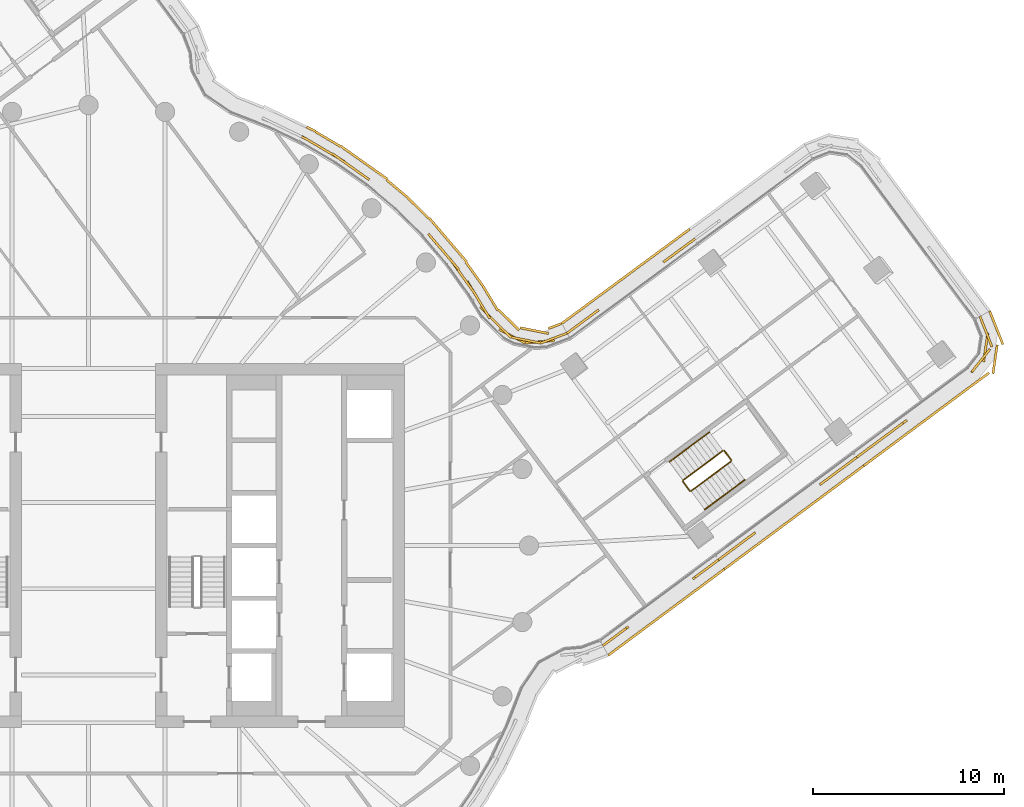
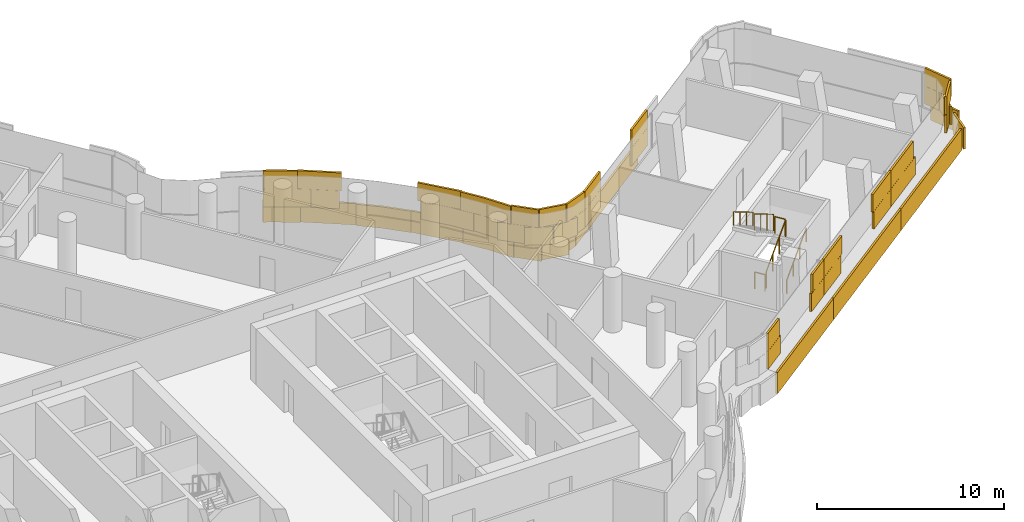
# One storey, part 30 of 32: 6 railings, 5 coverings.
"""IFC4 building model written with IfcOpenShell, lengths in metres."""

from ifc_helpers import new_model, si_unit, direction, frame, origin, origin_2d, place, context, subcontext, project, spatial, rectangle, circle, extrude, material, layer, layer_set, type_object, element, save


model = new_model("IFC4")

# Units and contexts
model_context = context("Model", 3, precision=1e-05, world=origin(), true_north=direction((0.0, 1.0)))
body_context = subcontext(model_context, "Body", "Model", "MODEL_VIEW")
ifc_project = project(units=[si_unit("LENGTHUNIT", "METRE"), si_unit("AREAUNIT", "SQUARE_METRE"), si_unit("VOLUMEUNIT", "CUBIC_METRE"), si_unit("PLANEANGLEUNIT", "RADIAN"), si_unit("MASSUNIT", "GRAM", prefix="KILO")], contexts=[model_context])

# Site, building, storey
site_placement = place(None, origin())
site = spatial("IfcSite", under=ifc_project, at=site_placement, CompositionType="ELEMENT")
building_placement = place(site_placement, origin())
building = spatial("IfcBuilding", under=site, at=building_placement, Name="Tamarind Cross Interchange Tower", CompositionType="ELEMENT")
storey_placement = place(building_placement, frame((0.0, 0.0, 166.75)))
storey = spatial("IfcBuildingStorey", under=building, at=storey_placement, Name="L41", CompositionType="ELEMENT", Elevation=166.75)

# Railings
ifc_material_1 = material(Name="Stair guard")
railing_type_1 = type_object("IfcRailingType", Name="Stair guard", PredefinedType="GUARDRAIL", material=ifc_material_1)
railing_1_placement = place(storey_placement, frame((31.465087890625, 2.85009765625, 0.17041015625)))
element("IfcRailing", 1, at=railing_1_placement, inside=storey, type_object=railing_type_1, Name="L41 ST3 stair guard 1", PredefinedType="GUARDRAIL", context=body_context, shape_type="SweptSolid", body=[
    extrude(circle(Radius=0.02392578125, at=origin_2d()), frame((0.0, 0.0, 1.076171875), z_axis=(0.671653146328, 0.498262505957, 0.548285077477), x_axis=(-0.595800035821, 0.803132814244, 0.0)), (0.0, 0.0, 1.0), 3.10888671875),
    extrude(circle(Radius=0.02099609375, at=origin_2d()), origin(), (0.0, 0.0, 1.0), 1.052001953125),
    extrude(circle(Radius=0.02099609375, at=origin_2d()), frame((0.696044921875, 0.516357421875, 0.568115234375)), (0.0, 0.0, 1.0), 1.052001953125),
    extrude(circle(Radius=0.02099609375, at=origin_2d()), frame((1.39208984375, 1.03271484375, 1.136474609375)), (0.0, 0.0, 1.0), 1.052001953125),
    extrude(circle(Radius=0.02099609375, at=origin_2d()), frame((2.088134765625, 1.549072265625, 1.70458984375)), (0.0, 0.0, 1.0), 1.052001953125),
])
railing_2_placement = place(storey_placement, frame((33.563720703125, 4.46923828125, 1.875)))
element("IfcRailing", 2, at=railing_2_placement, inside=storey, type_object=railing_type_1, Name="L41 ST3 stair guard 2", PredefinedType="GUARDRAIL", context=body_context, shape_type="SweptSolid", body=[
    extrude(circle(Radius=0.02392578125, at=origin_2d()), frame((0.0, 0.0, 1.076171875), z_axis=(-0.595889265204, 0.80306661219, 0.0), x_axis=(-0.80306661219, -0.595889265204, 0.0)), (0.0, 0.0, 1.0), 0.599853515625),
    extrude(circle(Radius=0.02099609375, at=origin_2d()), origin(), (0.0, 0.0, 1.0), 1.052001953125),
    extrude(circle(Radius=0.02099609375, at=origin_2d()), frame((-0.357421875, 0.481689453125, 0.0)), (0.0, 0.0, 1.0), 1.052001953125),
])
railing_3_placement = place(storey_placement, frame((33.13623046875, 4.96142578125, 2.04541015625)))
element("IfcRailing", 3, at=railing_3_placement, inside=storey, type_object=railing_type_1, Name="L41 ST3 stair guard 3", PredefinedType="GUARDRAIL", context=body_context, shape_type="SweptSolid", body=[
    extrude(circle(Radius=0.02392578125, at=origin_2d()), frame((0.0, 0.0, 1.076171875), z_axis=(-0.671653146328, -0.498262505957, 0.548285077477), x_axis=(0.595800035821, -0.803132814244, 0.0)), (0.0, 0.0, 1.0), 3.10888671875),
    extrude(circle(Radius=0.02099609375, at=origin_2d()), origin(), (0.0, 0.0, 1.0), 1.052001953125),
    extrude(circle(Radius=0.02099609375, at=origin_2d()), frame((-0.696044921875, -0.516357421875, 0.568115234375)), (0.0, 0.0, 1.0), 1.052001953125),
    extrude(circle(Radius=0.02099609375, at=origin_2d()), frame((-1.39208984375, -1.03271484375, 1.136474609375)), (0.0, 0.0, 1.0), 1.052001953125),
    extrude(circle(Radius=0.02099609375, at=origin_2d()), frame((-2.088134765625, -1.549072265625, 1.70458984375)), (0.0, 0.0, 1.0), 1.052001953125),
])
railing_4_placement = place(storey_placement, frame((31.395263671875, 2.860595703125, 0.0)))
element("IfcRailing", 4, at=railing_4_placement, inside=storey, type_object=railing_type_1, Name="L41 ST3 stair guard 4", PredefinedType="GUARDRAIL", context=body_context, shape_type="SweptSolid", body=[
    extrude(circle(Radius=0.02392578125, at=origin_2d()), frame((0.0, 0.0, 1.076171875), z_axis=(-0.595694532571, 0.803211070557, 0.0), x_axis=(-0.803211070557, -0.595694532571, 0.0)), (0.0, 0.0, 1.0), 0.60009765625),
    extrude(circle(Radius=0.02099609375, at=origin_2d()), origin(), (0.0, 0.0, 1.0), 1.052001953125),
    extrude(circle(Radius=0.02099609375, at=origin_2d()), frame((-0.357421875, 0.48193359375, 0.0)), (0.0, 0.0, 1.0), 1.052001953125),
])
ifc_material_2 = material(Name="Stair handrail")
railing_type_2 = type_object("IfcRailingType", Name="Stair handrail", PredefinedType="HANDRAIL", material=ifc_material_2)
railing_5_placement = place(storey_placement, frame((32.18017578125, 1.886474609375, 0.17041015625)))
element("IfcRailing", 5, at=railing_5_placement, inside=storey, type_object=railing_type_2, Name="L41 ST3 stair handrail 1", PredefinedType="HANDRAIL", context=body_context, shape_type="SweptSolid", body=[
    extrude(circle(Radius=0.02392578125, at=origin_2d()), frame((0.0, 0.0, 0.8759765625), z_axis=(0.671679426071, 0.49820347001, 0.548306530203), x_axis=(-0.595739462681, 0.803177746582, 0.0)), (0.0, 0.0, 1.0), 3.10888671875),
    extrude(circle(Radius=0.02099609375, at=origin_2d()), origin(), (0.0, 0.0, 1.0), 0.851806640625),
    extrude(circle(Radius=0.02099609375, at=origin_2d()), frame((0.696044921875, 0.516357421875, 0.568115234375)), (0.0, 0.0, 1.0), 0.851806640625),
    extrude(circle(Radius=0.02099609375, at=origin_2d()), frame((1.39208984375, 1.032470703125, 1.136474609375)), (0.0, 0.0, 1.0), 0.851806640625),
    extrude(circle(Radius=0.02099609375, at=origin_2d()), frame((2.088134765625, 1.548828125, 1.70458984375)), (0.0, 0.0, 1.0), 0.851806640625),
])
railing_6_placement = place(storey_placement, frame((32.42138671875, 5.92529296875, 2.04541015625)))
element("IfcRailing", 6, at=railing_6_placement, inside=storey, type_object=railing_type_2, Name="L41 ST3 stair handrail 2", PredefinedType="HANDRAIL", context=body_context, shape_type="SweptSolid", body=[
    extrude(circle(Radius=0.02392578125, at=origin_2d()), frame((0.0, 0.0, 0.8759765625), z_axis=(-0.671653146328, -0.498262505957, 0.548285077477), x_axis=(0.595800035821, -0.803132814244, 0.0)), (0.0, 0.0, 1.0), 3.10888671875),
    extrude(circle(Radius=0.02099609375, at=origin_2d()), origin(), (0.0, 0.0, 1.0), 0.851806640625),
    extrude(circle(Radius=0.02099609375, at=origin_2d()), frame((-0.696044921875, -0.516357421875, 0.568115234375)), (0.0, 0.0, 1.0), 0.851806640625),
    extrude(circle(Radius=0.02099609375, at=origin_2d()), frame((-1.39208984375, -1.03271484375, 1.136474609375)), (0.0, 0.0, 1.0), 0.851806640625),
    extrude(circle(Radius=0.02099609375, at=origin_2d()), frame((-2.088134765625, -1.549072265625, 1.70458984375)), (0.0, 0.0, 1.0), 0.851806640625),
])

# Coverings
ifc_material_3 = material(Name="Terracotta", Category="masonry")
ifc_layer = layer(ifc_material_3, 0.1201171875)
ifc_layer_set = layer_set([ifc_layer], Name="Terracotta")
covering_type = type_object("IfcCoveringType", Name="Terracotta baguette screen unit", PredefinedType="MOLDING", material=ifc_layer_set)
covering_1_placement = place(storey_placement, origin())
element("IfcCovering", 7, at=covering_1_placement, inside=storey, type_object=covering_type, Name="SCR-L41-01-01", PredefinedType="MOLDING", context=body_context, shape_type="SweptSolid", body=[
    extrude(rectangle(XDim=0.79931640625, YDim=0.1201171875, at=origin_2d()), frame((31.35205078125, 15.788818359375, 1.404052734375), z_axis=(0.0, 0.0, 1.0), x_axis=(-0.804598427384, -0.593819308082, 0.0)), (0.0, 0.0, 1.0), 1.1669921875),
    extrude(rectangle(XDim=1.270751953125, YDim=0.1201171875, at=origin_2d()), frame((30.52734375, 15.18017578125, 1.404052734375), z_axis=(0.0, 0.0, 1.0), x_axis=(-0.804598427384, -0.593819308082, 0.0)), (0.0, 0.0, 1.0), 1.1669921875),
    extrude(rectangle(XDim=0.549072265625, YDim=0.1201171875, at=origin_2d()), frame((26.423828125, 12.151611328125, 1.404052734375), z_axis=(0.0, 0.0, 1.0), x_axis=(-0.804598427384, -0.593819308082, 0.0)), (0.0, 0.0, 1.0), 1.1669921875),
    extrude(rectangle(XDim=1.52001953125, YDim=0.1201171875, at=origin_2d()), frame((25.603515625, 11.546142578125, 1.404052734375), z_axis=(0.0, 0.0, 1.0), x_axis=(-0.804598427384, -0.593819308082, 0.0)), (0.0, 0.0, 1.0), 1.1669921875),
    extrude(rectangle(XDim=0.04931640625, YDim=0.1201171875, at=origin_2d()), frame((31.65380859375, 16.011474609375, 2.5791015625), z_axis=(0.0, 0.0, 1.0), x_axis=(-0.804598427384, -0.593819308082, 0.0)), (0.0, 0.0, 1.0), 1.1669921875),
    extrude(rectangle(XDim=1.52001953125, YDim=0.1201171875, at=origin_2d()), frame((31.03466796875, 15.554443359375, 2.5791015625), z_axis=(0.0, 0.0, 1.0), x_axis=(-0.804598427384, -0.593819308082, 0.0)), (0.0, 0.0, 1.0), 1.1669921875),
    extrude(rectangle(XDim=0.520751953125, YDim=0.1201171875, at=origin_2d()), frame((30.2255859375, 14.95751953125, 2.5791015625), z_axis=(0.0, 0.0, 1.0), x_axis=(-0.804598427384, -0.593819308082, 0.0)), (0.0, 0.0, 1.0), 1.1669921875),
    extrude(rectangle(XDim=1.299072265625, YDim=0.1201171875, at=origin_2d()), frame((26.1220703125, 11.928955078125, 2.5791015625), z_axis=(0.0, 0.0, 1.0), x_axis=(-0.804598427384, -0.593819308082, 0.0)), (0.0, 0.0, 1.0), 1.1669921875),
    extrude(rectangle(XDim=0.77099609375, YDim=0.1201171875, at=origin_2d()), frame((25.29736328125, 11.3203125, 2.5791015625), z_axis=(0.0, 0.0, 1.0), x_axis=(-0.804598427384, -0.593819308082, 0.0)), (0.0, 0.0, 1.0), 1.1669921875),
    extrude(rectangle(XDim=0.801513671875, YDim=0.1201171875, at=origin_2d()), frame((31.068359375, 16.29296875, 0.00390625), z_axis=(0.0, 0.0, 1.0), x_axis=(-0.804598427384, -0.593819308082, 0.0)), (0.0, 0.0, 1.0), 1.39208984375),
    extrude(rectangle(XDim=1.52001953125, YDim=0.1201171875, at=origin_2d()), frame((30.150390625, 15.615478515625, 0.00390625), z_axis=(0.0, 0.0, 1.0), x_axis=(-0.804598427384, -0.593819308082, 0.0)), (0.0, 0.0, 1.0), 1.39208984375),
    extrude(rectangle(XDim=1.52001953125, YDim=0.1201171875, at=origin_2d()), frame((28.943603515625, 14.724609375, 0.00390625), z_axis=(0.0, 0.0, 1.0), x_axis=(-0.804598427384, -0.593819308082, 0.0)), (0.0, 0.0, 1.0), 1.39208984375),
    extrude(rectangle(XDim=1.52001953125, YDim=0.1201171875, at=origin_2d()), frame((27.736572265625, 13.833984375, 0.00390625), z_axis=(0.0, 0.0, 1.0), x_axis=(-0.804598427384, -0.593819308082, 0.0)), (0.0, 0.0, 1.0), 1.39208984375),
    extrude(rectangle(XDim=1.52001953125, YDim=0.1201171875, at=origin_2d()), frame((26.52978515625, 12.943359375, 0.00390625), z_axis=(0.0, 0.0, 1.0), x_axis=(-0.804598427384, -0.593819308082, 0.0)), (0.0, 0.0, 1.0), 1.39208984375),
    extrude(rectangle(XDim=1.52001953125, YDim=0.1201171875, at=origin_2d()), frame((25.322998046875, 12.052490234375, 0.00390625), z_axis=(0.0, 0.0, 1.0), x_axis=(-0.804598427384, -0.593819308082, 0.0)), (0.0, 0.0, 1.0), 1.39208984375),
])
covering_2_placement = place(storey_placement, origin())
element("IfcCovering", 8, at=covering_2_placement, inside=storey, type_object=covering_type, Name="SCR-L41-02-00", PredefinedType="MOLDING", context=body_context, shape_type="SweptSolid", body=[
    extrude(rectangle(XDim=0.760009765625, YDim=0.1201171875, at=origin_2d()), frame((24.64013671875, 10.96240234375, 1.404052734375), z_axis=(0.0, 0.0, 1.0), x_axis=(-0.936029366987, -0.351921900623, 0.0)), (0.0, 0.0, 1.0), 1.1669921875),
    extrude(rectangle(XDim=1.52001953125, YDim=0.1201171875, at=origin_2d()), frame((23.5693359375, 10.646484375, 1.404052734375), z_axis=(0.0, 0.0, 1.0), x_axis=(-0.996720069573, -0.080926527852, 0.0)), (0.0, 0.0, 1.0), 1.1669921875),
    extrude(rectangle(XDim=1.52001953125, YDim=0.1201171875, at=origin_2d()), frame((22.11474609375, 10.93701171875, 1.404052734375), z_axis=(0.0, 0.0, 1.0), x_axis=(-0.888742469875, 0.458406830491, 0.0)), (0.0, 0.0, 1.0), 1.1669921875),
    extrude(rectangle(XDim=1.52001953125, YDim=0.1201171875, at=origin_2d()), frame((20.99609375, 11.919677734375, 1.404052734375), z_axis=(0.0, 0.0, 1.0), x_axis=(-0.710687311487, 0.703508027879, 0.0)), (0.0, 0.0, 1.0), 1.1669921875),
    extrude(rectangle(XDim=1.52001953125, YDim=0.1201171875, at=origin_2d()), frame((20.1669921875, 13.16162109375, 1.404052734375), z_axis=(0.0, 0.0, 1.0), x_axis=(-0.517314099566, 0.855795607835, 0.0)), (0.0, 0.0, 1.0), 1.1669921875),
    extrude(rectangle(XDim=1.52001953125, YDim=0.1201171875, at=origin_2d()), frame((19.2978515625, 14.3837890625, 1.404052734375), z_axis=(0.0, 0.0, 1.0), x_axis=(-0.584573890505, 0.811340475102, 0.0)), (0.0, 0.0, 1.0), 1.1669921875),
    extrude(rectangle(XDim=1.52001953125, YDim=0.1201171875, at=origin_2d()), frame((18.36279296875, 15.55517578125, 1.404052734375), z_axis=(0.0, 0.0, 1.0), x_axis=(-0.64957723968, 0.760295606781, 0.0)), (0.0, 0.0, 1.0), 1.1669921875),
    extrude(rectangle(XDim=1.52001953125, YDim=0.1201171875, at=origin_2d()), frame((13.959716796875, 19.60302734375, 1.404052734375), z_axis=(0.0, 0.0, 1.0), x_axis=(-0.816341886298, 0.577568978284, 0.0)), (0.0, 0.0, 1.0), 1.1669921875),
    extrude(rectangle(XDim=1.52001953125, YDim=0.1201171875, at=origin_2d()), frame((12.7158203125, 20.439453125, 1.404052734375), z_axis=(0.0, 0.0, 1.0), x_axis=(-0.861248933065, 0.508183308752, 0.0)), (0.0, 0.0, 1.0), 1.1669921875),
    extrude(rectangle(XDim=1.086669921875, YDim=0.1201171875, at=origin_2d()), frame((11.606201171875, 21.09423828125, 1.404052734375), z_axis=(0.0, 0.0, 1.0), x_axis=(-0.861248933065, 0.508183308752, 0.0)), (0.0, 0.0, 1.0), 1.1669921875),
    extrude(rectangle(XDim=1.510009765625, YDim=0.1201171875, at=origin_2d()), frame((24.2890625, 10.830322265625, 2.5791015625), z_axis=(0.0, 0.0, 1.0), x_axis=(-0.936029366987, -0.351921900623, 0.0)), (0.0, 0.0, 1.0), 1.1669921875),
    extrude(rectangle(XDim=1.52001953125, YDim=0.1201171875, at=origin_2d()), frame((22.830322265625, 10.73291015625, 2.5791015625), z_axis=(0.0, 0.0, 1.0), x_axis=(-0.980541873033, 0.196310048722, 0.0)), (0.0, 0.0, 1.0), 1.1669921875),
    extrude(rectangle(XDim=1.52001953125, YDim=0.1201171875, at=origin_2d()), frame((21.529052734375, 11.39208984375, 2.5791015625), z_axis=(0.0, 0.0, 1.0), x_axis=(-0.710687311487, 0.703508027879, 0.0)), (0.0, 0.0, 1.0), 1.1669921875),
    extrude(rectangle(XDim=1.52001953125, YDim=0.1201171875, at=origin_2d()), frame((20.554931640625, 12.519775390625, 2.5791015625), z_axis=(0.0, 0.0, 1.0), x_axis=(-0.517314099566, 0.855795607835, 0.0)), (0.0, 0.0, 1.0), 1.1669921875),
    extrude(rectangle(XDim=1.52001953125, YDim=0.1201171875, at=origin_2d()), frame((19.736328125, 13.775146484375, 2.5791015625), z_axis=(0.0, 0.0, 1.0), x_axis=(-0.584573890505, 0.811340475102, 0.0)), (0.0, 0.0, 1.0), 1.1669921875),
    extrude(rectangle(XDim=1.52001953125, YDim=0.1201171875, at=origin_2d()), frame((18.85009765625, 14.98486328125, 2.5791015625), z_axis=(0.0, 0.0, 1.0), x_axis=(-0.64957723968, 0.760295606781, 0.0)), (0.0, 0.0, 1.0), 1.1669921875),
    extrude(rectangle(XDim=0.960693359375, YDim=0.1201171875, at=origin_2d()), frame((18.05419921875, 15.91650390625, 2.5791015625), z_axis=(0.0, 0.0, 1.0), x_axis=(-0.64957723968, 0.760295606781, 0.0)), (0.0, 0.0, 1.0), 1.1669921875),
    extrude(rectangle(XDim=0.859375, YDim=0.1201171875, at=origin_2d()), frame((14.306396484375, 19.357666015625, 2.5791015625), z_axis=(0.0, 0.0, 1.0), x_axis=(-0.816341886298, 0.577568978284, 0.0)), (0.0, 0.0, 1.0), 1.1669921875),
    extrude(rectangle(XDim=1.52001953125, YDim=0.1201171875, at=origin_2d()), frame((13.347412109375, 20.0361328125, 2.5791015625), z_axis=(0.0, 0.0, 1.0), x_axis=(-0.816341886298, 0.577568978284, 0.0)), (0.0, 0.0, 1.0), 1.1669921875),
    extrude(rectangle(XDim=1.52001953125, YDim=0.1201171875, at=origin_2d()), frame((12.06982421875, 20.820556640625, 2.5791015625), z_axis=(0.0, 0.0, 1.0), x_axis=(-0.861248933065, 0.508183308752, 0.0)), (0.0, 0.0, 1.0), 1.1669921875),
    extrude(rectangle(XDim=0.336669921875, YDim=0.1201171875, at=origin_2d()), frame((11.279296875, 21.277099609375, 2.5791015625), z_axis=(0.0, 0.0, 1.0), x_axis=(-0.900272776334, 0.435326231914, 0.0)), (0.0, 0.0, 1.0), 1.1669921875),
    extrude(rectangle(XDim=0.760009765625, YDim=0.1201171875, at=origin_2d()), frame((24.35888671875, 11.4697265625, 0.00390625), z_axis=(0.0, 0.0, 1.0), x_axis=(-0.936029366987, -0.351921900623, 0.0)), (0.0, 0.0, 1.0), 1.39208984375),
    extrude(rectangle(XDim=1.52001953125, YDim=0.1201171875, at=origin_2d()), frame((23.284423828125, 11.227294921875, 0.00390625), z_axis=(0.0, 0.0, 1.0), x_axis=(-0.980541873033, 0.196310048722, 0.0)), (0.0, 0.0, 1.0), 1.39208984375),
    extrude(rectangle(XDim=1.52001953125, YDim=0.1201171875, at=origin_2d()), frame((21.941162109375, 11.7919921875, 0.00390625), z_axis=(0.0, 0.0, 1.0), x_axis=(-0.710687311487, 0.703508027879, 0.0)), (0.0, 0.0, 1.0), 1.39208984375),
    extrude(rectangle(XDim=1.52001953125, YDim=0.1201171875, at=origin_2d()), frame((20.978271484375, 12.9287109375, 0.00390625), z_axis=(0.0, 0.0, 1.0), x_axis=(-0.517314099566, 0.855795607835, 0.0)), (0.0, 0.0, 1.0), 1.39208984375),
    extrude(rectangle(XDim=1.52001953125, YDim=0.1201171875, at=origin_2d()), frame((20.152587890625, 14.179443359375, 0.00390625), z_axis=(0.0, 0.0, 1.0), x_axis=(-0.584573890505, 0.811340475102, 0.0)), (0.0, 0.0, 1.0), 1.39208984375),
    extrude(rectangle(XDim=1.52001953125, YDim=0.1201171875, at=origin_2d()), frame((19.262451171875, 15.385986328125, 0.00390625), z_axis=(0.0, 0.0, 1.0), x_axis=(-0.64957723968, 0.760295606781, 0.0)), (0.0, 0.0, 1.0), 1.39208984375),
    extrude(rectangle(XDim=1.52001953125, YDim=0.1201171875, at=origin_2d()), frame((18.2880859375, 16.5263671875, 0.00390625), z_axis=(0.0, 0.0, 1.0), x_axis=(-0.64957723968, 0.760295606781, 0.0)), (0.0, 0.0, 1.0), 1.39208984375),
    extrude(rectangle(XDim=1.52001953125, YDim=0.1201171875, at=origin_2d()), frame((17.242919921875, 17.601318359375, 0.00390625), z_axis=(0.0, 0.0, 1.0), x_axis=(-0.710143317658, 0.704057148523, 0.0)), (0.0, 0.0, 1.0), 1.39208984375),
    extrude(rectangle(XDim=1.52001953125, YDim=0.1201171875, at=origin_2d()), frame((16.142822265625, 18.618896484375, 0.00390625), z_axis=(0.0, 0.0, 1.0), x_axis=(-0.765858396687, 0.643009266048, 0.0)), (0.0, 0.0, 1.0), 1.39208984375),
    extrude(rectangle(XDim=1.52001953125, YDim=0.1201171875, at=origin_2d()), frame((14.989501953125, 19.57763671875, 0.00390625), z_axis=(0.0, 0.0, 1.0), x_axis=(-0.816341886298, 0.577568978284, 0.0)), (0.0, 0.0, 1.0), 1.39208984375),
    extrude(rectangle(XDim=1.52001953125, YDim=0.1201171875, at=origin_2d()), frame((13.764892578125, 20.444091796875, 0.00390625), z_axis=(0.0, 0.0, 1.0), x_axis=(-0.816341886298, 0.577568978284, 0.0)), (0.0, 0.0, 1.0), 1.39208984375),
    extrude(rectangle(XDim=1.52001953125, YDim=0.1201171875, at=origin_2d()), frame((12.4931640625, 21.2373046875, 0.00390625), z_axis=(0.0, 0.0, 1.0), x_axis=(-0.861248933065, 0.508183308752, 0.0)), (0.0, 0.0, 1.0), 1.39208984375),
    extrude(rectangle(XDim=0.519287109375, YDim=0.1201171875, at=origin_2d()), frame((11.631591796875, 21.744384765625, 0.00390625), z_axis=(0.0, 0.0, 1.0), x_axis=(-0.900272776334, 0.435326231914, 0.0)), (0.0, 0.0, 1.0), 1.39208984375),
])
covering_3_placement = place(storey_placement, origin())
element("IfcCovering", 9, at=covering_3_placement, inside=storey, type_object=covering_type, Name="SCR-L41-15-00", PredefinedType="MOLDING", context=body_context, shape_type="SweptSolid", body=[
    extrude(rectangle(XDim=0.760009765625, YDim=0.1201171875, at=origin_2d()), frame((27.162841796875, -4.998046875, 1.404052734375), z_axis=(0.0, 0.0, 1.0), x_axis=(0.803150344752, 0.595776404136, 0.0)), (0.0, 0.0, 1.0), 1.1669921875),
    extrude(rectangle(XDim=0.91064453125, YDim=0.1201171875, at=origin_2d()), frame((27.82568359375, -4.50634765625, 1.404052734375), z_axis=(0.0, 0.0, 1.0), x_axis=(0.803150344752, 0.595776404136, 0.0)), (0.0, 0.0, 1.0), 1.1669921875),
    extrude(rectangle(XDim=0.909423828125, YDim=0.1201171875, at=origin_2d()), frame((31.921630859375, -1.4677734375, 1.404052734375), z_axis=(0.0, 0.0, 1.0), x_axis=(0.803150344752, 0.595776404136, 0.0)), (0.0, 0.0, 1.0), 1.1669921875),
    extrude(rectangle(XDim=0.761474609375, YDim=0.1201171875, at=origin_2d()), frame((32.584716796875, -0.97607421875, 1.404052734375), z_axis=(0.0, 0.0, 1.0), x_axis=(0.803150344752, 0.595776404136, 0.0)), (0.0, 0.0, 1.0), 1.1669921875),
    extrude(rectangle(XDim=1.510009765625, YDim=0.1201171875, at=origin_2d()), frame((27.4638671875, -4.774658203125, 2.5791015625), z_axis=(0.0, 0.0, 1.0), x_axis=(0.803150344752, 0.595776404136, 0.0)), (0.0, 0.0, 1.0), 1.1669921875),
    extrude(rectangle(XDim=1.52001953125, YDim=0.1201171875, at=origin_2d()), frame((32.282958984375, -1.199951171875, 2.5791015625), z_axis=(0.0, 0.0, 1.0), x_axis=(0.803150344752, 0.595776404136, 0.0)), (0.0, 0.0, 1.0), 1.1669921875),
    extrude(rectangle(XDim=0.760009765625, YDim=0.1201171875, at=origin_2d()), frame((27.4453125, -5.503173828125, 0.00390625), z_axis=(0.0, 0.0, 1.0), x_axis=(0.803150344752, 0.595776404136, 0.0)), (0.0, 0.0, 1.0), 1.39208984375),
    extrude(rectangle(XDim=1.52001953125, YDim=0.1201171875, at=origin_2d()), frame((28.3447265625, -4.8359375, 0.00390625), z_axis=(0.0, 0.0, 1.0), x_axis=(0.803150344752, 0.595776404136, 0.0)), (0.0, 0.0, 1.0), 1.39208984375),
    extrude(rectangle(XDim=1.52001953125, YDim=0.1201171875, at=origin_2d()), frame((29.549560546875, -3.942138671875, 0.00390625), z_axis=(0.0, 0.0, 1.0), x_axis=(0.803150344752, 0.595776404136, 0.0)), (0.0, 0.0, 1.0), 1.39208984375),
    extrude(rectangle(XDim=1.52001953125, YDim=0.1201171875, at=origin_2d()), frame((30.75439453125, -3.048583984375, 0.00390625), z_axis=(0.0, 0.0, 1.0), x_axis=(0.803150344752, 0.595776404136, 0.0)), (0.0, 0.0, 1.0), 1.39208984375),
    extrude(rectangle(XDim=1.52001953125, YDim=0.1201171875, at=origin_2d()), frame((31.958984375, -2.15478515625, 0.00390625), z_axis=(0.0, 0.0, 1.0), x_axis=(0.803150344752, 0.595776404136, 0.0)), (0.0, 0.0, 1.0), 1.39208984375),
    extrude(rectangle(XDim=0.809814453125, YDim=0.1201171875, at=origin_2d()), frame((32.87841796875, -1.47265625, 0.00390625), z_axis=(0.0, 0.0, 1.0), x_axis=(0.803150344752, 0.595776404136, 0.0)), (0.0, 0.0, 1.0), 1.39208984375),
])
covering_4_placement = place(storey_placement, origin())
element("IfcCovering", 10, at=covering_4_placement, inside=storey, type_object=covering_type, Name="SCR-L41-15-01", PredefinedType="MOLDING", context=body_context, shape_type="SweptSolid", body=[
    extrude(rectangle(XDim=0.758544921875, YDim=0.1201171875, at=origin_2d()), frame((33.18701171875, -0.529296875, 1.404052734375), z_axis=(0.0, 0.0, 1.0), x_axis=(0.803150344752, 0.595776404136, 0.0)), (0.0, 0.0, 1.0), 1.1669921875),
    extrude(rectangle(XDim=1.52001953125, YDim=0.1201171875, at=origin_2d()), frame((34.08984375, 0.140625, 1.404052734375), z_axis=(0.0, 0.0, 1.0), x_axis=(0.803150344752, 0.595776404136, 0.0)), (0.0, 0.0, 1.0), 1.1669921875),
    extrude(rectangle(XDim=1.52001953125, YDim=0.1201171875, at=origin_2d()), frame((38.908935546875, 3.71533203125, 1.404052734375), z_axis=(0.0, 0.0, 1.0), x_axis=(0.803150344752, 0.595776404136, 0.0)), (0.0, 0.0, 1.0), 1.1669921875),
    extrude(rectangle(XDim=0.7705078125, YDim=0.1201171875, at=origin_2d()), frame((39.816650390625, 4.388671875, 1.404052734375), z_axis=(0.0, 0.0, 1.0), x_axis=(0.803150344752, 0.595776404136, 0.0)), (0.0, 0.0, 1.0), 1.1669921875),
    extrude(rectangle(XDim=1.508544921875, YDim=0.1201171875, at=origin_2d()), frame((33.488037109375, -0.305908203125, 2.5791015625), z_axis=(0.0, 0.0, 1.0), x_axis=(0.803150344752, 0.595776404136, 0.0)), (0.0, 0.0, 1.0), 1.1669921875),
    extrude(rectangle(XDim=0.916015625, YDim=0.1201171875, at=origin_2d()), frame((34.453857421875, 0.410400390625, 2.5791015625), z_axis=(0.0, 0.0, 1.0), x_axis=(0.803150344752, 0.595776404136, 0.0)), (0.0, 0.0, 1.0), 1.1669921875),
    extrude(rectangle(XDim=0.904052734375, YDim=0.1201171875, at=origin_2d()), frame((38.5498046875, 3.448974609375, 2.5791015625), z_axis=(0.0, 0.0, 1.0), x_axis=(0.803150344752, 0.595776404136, 0.0)), (0.0, 0.0, 1.0), 1.1669921875),
    extrude(rectangle(XDim=1.52001953125, YDim=0.1201171875, at=origin_2d()), frame((39.51123046875, 4.162109375, 2.5791015625), z_axis=(0.0, 0.0, 1.0), x_axis=(0.803150344752, 0.595776404136, 0.0)), (0.0, 0.0, 1.0), 1.1669921875),
    extrude(rectangle(XDim=0.710205078125, YDim=0.1201171875, at=origin_2d()), frame((33.489013671875, -1.02001953125, 0.00390625), z_axis=(0.0, 0.0, 1.0), x_axis=(0.803150344752, 0.595776404136, 0.0)), (0.0, 0.0, 1.0), 1.39208984375),
    extrude(rectangle(XDim=1.52001953125, YDim=0.1201171875, at=origin_2d()), frame((34.368408203125, -0.367431640625, 0.00390625), z_axis=(0.0, 0.0, 1.0), x_axis=(0.803150344752, 0.595776404136, 0.0)), (0.0, 0.0, 1.0), 1.39208984375),
    extrude(rectangle(XDim=1.52001953125, YDim=0.1201171875, at=origin_2d()), frame((35.5732421875, 0.526123046875, 0.00390625), z_axis=(0.0, 0.0, 1.0), x_axis=(0.803150344752, 0.595776404136, 0.0)), (0.0, 0.0, 1.0), 1.39208984375),
    extrude(rectangle(XDim=1.52001953125, YDim=0.1201171875, at=origin_2d()), frame((36.77783203125, 1.419921875, 0.00390625), z_axis=(0.0, 0.0, 1.0), x_axis=(0.803150344752, 0.595776404136, 0.0)), (0.0, 0.0, 1.0), 1.39208984375),
    extrude(rectangle(XDim=1.52001953125, YDim=0.1201171875, at=origin_2d()), frame((37.982666015625, 2.3134765625, 0.00390625), z_axis=(0.0, 0.0, 1.0), x_axis=(0.803150344752, 0.595776404136, 0.0)), (0.0, 0.0, 1.0), 1.39208984375),
    extrude(rectangle(XDim=1.52001953125, YDim=0.1201171875, at=origin_2d()), frame((39.187255859375, 3.207275390625, 0.00390625), z_axis=(0.0, 0.0, 1.0), x_axis=(0.803150344752, 0.595776404136, 0.0)), (0.0, 0.0, 1.0), 1.39208984375),
    extrude(rectangle(XDim=0.876953125, YDim=0.1201171875, at=origin_2d()), frame((40.1337890625, 3.9091796875, 0.00390625), z_axis=(0.0, 0.0, 1.0), x_axis=(0.803150344752, 0.595776404136, 0.0)), (0.0, 0.0, 1.0), 1.39208984375),
])
covering_5_placement = place(storey_placement, origin())
element("IfcCovering", 11, at=covering_5_placement, inside=storey, type_object=covering_type, Name="SCR-L41-15-02", PredefinedType="MOLDING", context=body_context, shape_type="SweptSolid", body=[
    extrude(rectangle(XDim=0.74951171875, YDim=0.1201171875, at=origin_2d()), frame((40.4189453125, 4.83544921875, 1.404052734375), z_axis=(0.0, 0.0, 1.0), x_axis=(0.803150344752, 0.595776404136, 0.0)), (0.0, 0.0, 1.0), 1.1669921875),
    extrude(rectangle(XDim=1.52001953125, YDim=0.1201171875, at=origin_2d()), frame((41.318359375, 5.502685546875, 1.404052734375), z_axis=(0.0, 0.0, 1.0), x_axis=(0.803150344752, 0.595776404136, 0.0)), (0.0, 0.0, 1.0), 1.1669921875),
    extrude(rectangle(XDim=1.017822265625, YDim=0.1201171875, at=origin_2d()), frame((42.325439453125, 6.24951171875, 1.404052734375), z_axis=(0.0, 0.0, 1.0), x_axis=(0.803150344752, 0.595776404136, 0.0)), (0.0, 0.0, 1.0), 1.1669921875),
    extrude(rectangle(XDim=0.80224609375, YDim=0.1201171875, at=origin_2d()), frame((46.353515625, 9.3583984375, 1.404052734375), z_axis=(0.0, 0.0, 1.0), x_axis=(0.621585380376, 0.783346420751, 0.0)), (0.0, 0.0, 1.0), 1.1669921875),
    extrude(rectangle(XDim=1.52001953125, YDim=0.1201171875, at=origin_2d()), frame((46.852294921875, 10.3486328125, 1.404052734375), z_axis=(0.0, 0.0, 1.0), x_axis=(0.146635519651, 0.989190590522, 0.0)), (0.0, 0.0, 1.0), 1.1669921875),
    extrude(rectangle(XDim=0.965087890625, YDim=0.1201171875, at=origin_2d()), frame((46.72705078125, 11.52783203125, 1.404052734375), z_axis=(0.0, 0.0, 1.0), x_axis=(-0.367605210146, 0.929981940402, 0.0)), (0.0, 0.0, 1.0), 1.1669921875),
    extrude(rectangle(XDim=1.49951171875, YDim=0.1201171875, at=origin_2d()), frame((40.72021484375, 5.058837890625, 2.5791015625), z_axis=(0.0, 0.0, 1.0), x_axis=(0.803150344752, 0.595776404136, 0.0)), (0.0, 0.0, 1.0), 1.1669921875),
    extrude(rectangle(XDim=1.52001953125, YDim=0.1201171875, at=origin_2d()), frame((41.920654296875, 5.949462890625, 2.5791015625), z_axis=(0.0, 0.0, 1.0), x_axis=(0.803150344752, 0.595776404136, 0.0)), (0.0, 0.0, 1.0), 1.1669921875),
    extrude(rectangle(XDim=1.52001953125, YDim=0.1201171875, at=origin_2d()), frame((46.599609375, 9.668701171875, 2.5791015625), z_axis=(0.0, 0.0, 1.0), x_axis=(0.621585380376, 0.783346420751, 0.0)), (0.0, 0.0, 1.0), 1.1669921875),
    extrude(rectangle(XDim=1.52001953125, YDim=0.1201171875, at=origin_2d()), frame((46.902587890625, 11.083740234375, 2.5791015625), z_axis=(0.0, 0.0, 1.0), x_axis=(-0.367605210146, 0.929981940402, 0.0)), (0.0, 0.0, 1.0), 1.1669921875),
    extrude(rectangle(XDim=0.215087890625, YDim=0.1201171875, at=origin_2d()), frame((46.589111328125, 11.876708984375, 2.5791015625), z_axis=(0.0, 0.0, 1.0), x_axis=(-0.367605210146, 0.929981940402, 0.0)), (0.0, 0.0, 1.0), 1.1669921875),
    extrude(rectangle(XDim=0.64306640625, YDim=0.1201171875, at=origin_2d()), frame((40.744140625, 4.362060546875, 0.00390625), z_axis=(0.0, 0.0, 1.0), x_axis=(0.803150344752, 0.595776404136, 0.0)), (0.0, 0.0, 1.0), 1.39208984375),
    extrude(rectangle(XDim=1.52001953125, YDim=0.1201171875, at=origin_2d()), frame((41.596923828125, 4.994384765625, 0.00390625), z_axis=(0.0, 0.0, 1.0), x_axis=(0.803150344752, 0.595776404136, 0.0)), (0.0, 0.0, 1.0), 1.39208984375),
    extrude(rectangle(XDim=1.52001953125, YDim=0.1201171875, at=origin_2d()), frame((42.801513671875, 5.88818359375, 0.00390625), z_axis=(0.0, 0.0, 1.0), x_axis=(0.803150344752, 0.595776404136, 0.0)), (0.0, 0.0, 1.0), 1.39208984375),
    extrude(rectangle(XDim=1.52001953125, YDim=0.1201171875, at=origin_2d()), frame((44.00634765625, 6.78173828125, 0.00390625), z_axis=(0.0, 0.0, 1.0), x_axis=(0.803150344752, 0.595776404136, 0.0)), (0.0, 0.0, 1.0), 1.39208984375),
    extrude(rectangle(XDim=1.52001953125, YDim=0.1201171875, at=origin_2d()), frame((45.2109375, 7.675537109375, 0.00390625), z_axis=(0.0, 0.0, 1.0), x_axis=(0.803150344752, 0.595776404136, 0.0)), (0.0, 0.0, 1.0), 1.39208984375),
    extrude(rectangle(XDim=1.52001953125, YDim=0.1201171875, at=origin_2d()), frame((46.415771484375, 8.569091796875, 0.00390625), z_axis=(0.0, 0.0, 1.0), x_axis=(0.803150344752, 0.595776404136, 0.0)), (0.0, 0.0, 1.0), 1.39208984375),
    extrude(rectangle(XDim=1.52001953125, YDim=0.1201171875, at=origin_2d()), frame((47.34130859375, 9.732666015625, 0.00390625), z_axis=(0.0, 0.0, 1.0), x_axis=(0.146635519651, 0.989190590522, 0.0)), (0.0, 0.0, 1.0), 1.39208984375),
    extrude(rectangle(XDim=1.52001953125, YDim=0.1201171875, at=origin_2d()), frame((47.471435546875, 11.2060546875, 0.00390625), z_axis=(0.0, 0.0, 1.0), x_axis=(-0.367605210146, 0.929981940402, 0.0)), (0.0, 0.0, 1.0), 1.39208984375),
    extrude(rectangle(XDim=0.385986328125, YDim=0.1201171875, at=origin_2d()), frame((47.12841796875, 12.07373046875, 0.00390625), z_axis=(0.0, 0.0, 1.0), x_axis=(-0.367605210146, 0.929981940402, 0.0)), (0.0, 0.0, 1.0), 1.39208984375),
])

save(model, "model.ifc")
